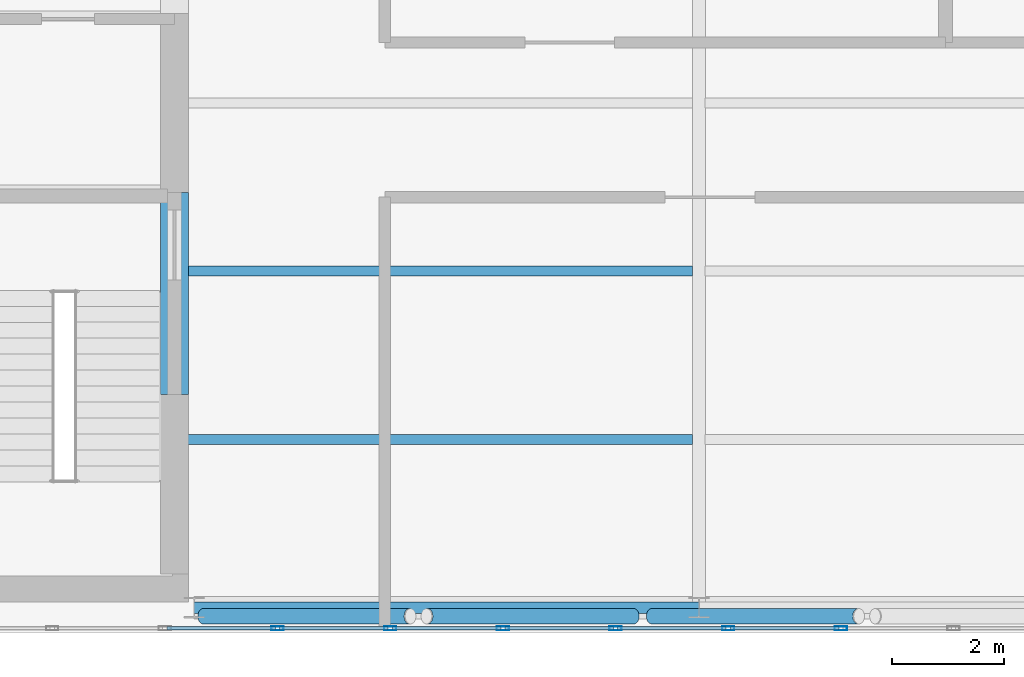
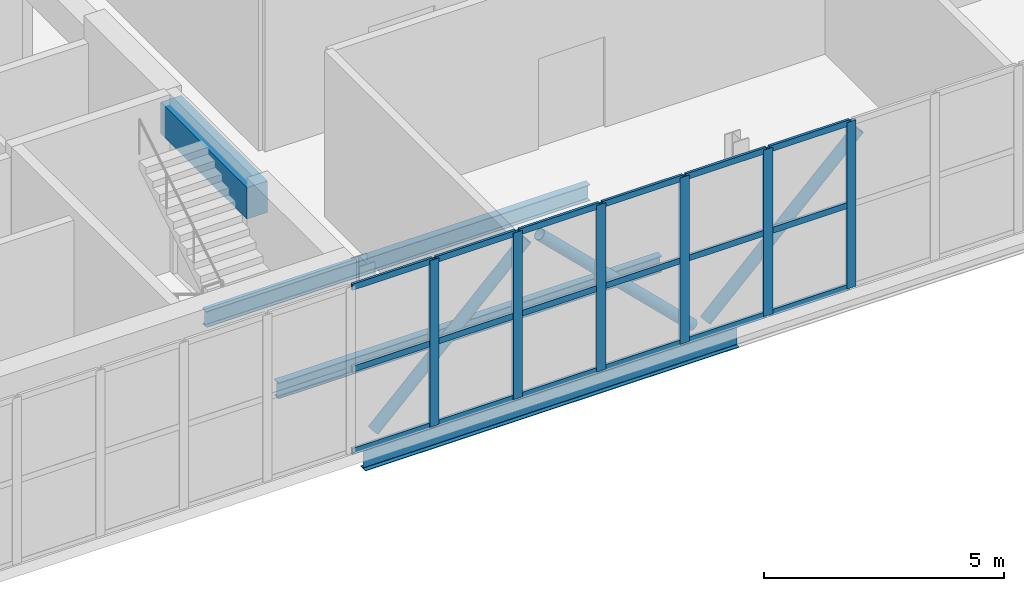
# One storey, part 6 of 21: 27 members, 4 beams, 1 element without a shape of its own.
"""IFC4 building model written with IfcOpenShell, lengths in metres."""

from ifc_helpers import new_model, si_unit, direction, frame, origin, origin_2d, place, context, subcontext, project, spatial, rectangle, hollow_rectangle, hollow_circle, i_section, extrude, material, layer, layer_set, material_profile, profile_set, type_object, element, aggregate, save


model = new_model("IFC4")

# Units and contexts
model_context = context("Model", 3, precision=1e-05, world=origin(), true_north=direction((0.0, 1.0)))
body_context = subcontext(model_context, "Body", "Model", "MODEL_VIEW")
ifc_project = project(units=[si_unit("LENGTHUNIT", "METRE"), si_unit("AREAUNIT", "SQUARE_METRE"), si_unit("VOLUMEUNIT", "CUBIC_METRE"), si_unit("PLANEANGLEUNIT", "RADIAN"), si_unit("MASSUNIT", "GRAM", prefix="KILO")], contexts=[model_context])

# Site, building, storey
site_placement = place(None, origin())
site = spatial("IfcSite", under=ifc_project, at=site_placement, CompositionType="ELEMENT")
building_placement = place(site_placement, origin())
building = spatial("IfcBuilding", under=site, at=building_placement, Name="Mawjdan Bourse Tower", CompositionType="ELEMENT")
storey_placement = place(building_placement, frame((0.0, 0.0, 317.699951171875)))
storey = spatial("IfcBuildingStorey", under=building, at=storey_placement, Name="L78", CompositionType="ELEMENT", Elevation=317.699951171875)

# Members
ifc_material_1 = material(Name="Structural Steel S355", Category="steel")
ifc_material_profile_1 = material_profile(ifc_material_1, hollow_circle(Radius=0.136474609375, WallThickness=0.012451171875, at=origin_2d()), Name="CHS273X12.5")
ifc_profile_set_1 = profile_set([ifc_material_profile_1], Name="Structural Steel S355")
member_type_1 = type_object("IfcMemberType", Name="BRC-CHS273X12.5", PredefinedType="BRACE", material=ifc_profile_set_1)
for number, where, z_axis, x_axis, name in (
    (1, (24.159912109375, 2.846435546875, 0.199951171875), (0.715813788729, 0.0, 0.698291214227), (0.0, 1.0, 0.0), "L78 Lantern Crown Braced Frame South Diagonal 1"),
    (2, (28.159912109375, 2.846435546875, 3.7900390625), (0.715813788729, 0.0, -0.698291214227), (0.0, 1.0, 0.0), "L78 Lantern Crown Braced Frame South Diagonal 2"),
    (3, (32.159912109375, 2.846435546875, 0.199951171875), (0.715813788729, 0.0, 0.698291214227), (0.0, 1.0, 0.0), "L78 Lantern Crown Braced Frame South Diagonal 3"),
):
    element("IfcMember", number, at=place(storey_placement, frame(where, z_axis=z_axis, x_axis=x_axis)), inside=storey, type_object=member_type_1, Name=name, PredefinedType="BRACE", context=body_context, shape_type="SweptSolid", body=[
        extrude(hollow_circle(Radius=0.136474609375, WallThickness=0.012451171875, at=origin_2d()), origin(), (0.0, 0.0, 1.0), 5.141357421875),
    ])

# Beams
ifc_material_profile_2 = material_profile(ifc_material_1, i_section(OverallWidth=0.177978515625, OverallDepth=0.406982421875, WebThickness=0.0078125, FlangeThickness=0.0126953125, FilletRadius=0.01025390625, at=origin_2d()), Name="W16X40")
ifc_profile_set_2 = profile_set([ifc_material_profile_2], Name="Structural Steel S355")
beam_type_1 = type_object("IfcBeamType", Name="JST-W16X40", PredefinedType="JOIST", material=ifc_profile_set_2)
for number, where, z_axis, x_axis, name in (
    (4, (23.64990234375, 6.0, -0.4833984375), (1.0, 0.0, 0.0), (0.0, 1.0, 0.0), "L78 East Wing Composite Joist 011"),
    (5, (23.64990234375, 9.0, -0.4833984375), (1.0, 0.0, 0.0), (0.0, 1.0, 0.0), "L78 East Wing Composite Joist 014"),
):
    element("IfcBeam", number, at=place(storey_placement, frame(where, z_axis=z_axis, x_axis=x_axis)), inside=storey, type_object=beam_type_1, Name=name, PredefinedType="JOIST", context=body_context, shape_type="SweptSolid", body=[
        extrude(i_section(OverallWidth=0.177978515625, OverallDepth=0.406982421875, WebThickness=0.0078125, FlangeThickness=0.0126953125, FilletRadius=0.01025390625, at=origin_2d()), origin(), (0.0, 0.0, 1.0), 9.237060546875),
    ])
ifc_material_2 = material(Name="Concrete C70/85", Category="concrete")
ifc_material_profile_3 = material_profile(ifc_material_2, rectangle(XDim=0.5, YDim=0.800048828125, at=origin_2d()), Name="RCB500X800")
ifc_profile_set_3 = profile_set([ifc_material_profile_3], Name="Concrete C70/85")
beam_type_2 = type_object("IfcBeamType", Name="LNT-RCB500X800", PredefinedType="LINTEL", material=ifc_profile_set_3)
beam_1_placement = place(storey_placement, frame((23.64990234375, 6.800048828125, 3.840087890625), z_axis=(0.0, 1.0, 0.0), x_axis=(-1.0, 0.0, 0.0)))
element("IfcBeam", 6, at=beam_1_placement, inside=storey, type_object=beam_type_2, Name="L78 Coupled Core Lintel CB-E1", PredefinedType="LINTEL", context=body_context, shape_type="SweptSolid", body=[
    extrude(rectangle(XDim=0.5, YDim=0.800048828125, at=origin_2d()), origin(), (0.0, 0.0, 1.0), 3.599853515625),
])

# Curtain wall, members
ifc_material_3 = material(Name="Thermally Broken Aluminium and Solar Glass", Category="aluminium")
ifc_layer = layer(ifc_material_3, 0.219970703125)
ifc_layer_set = layer_set([ifc_layer], Name="Thermally Broken Aluminium and Solar Glass")
curtain_wall_type = type_object("IfcCurtainWallType", Name="CW-CRN", PredefinedType="USERDEFINED", material=ifc_layer_set)
curtain_wall_placement = place(storey_placement, origin())
curtain_wall = element("IfcCurtainWall", 7, at=curtain_wall_placement, inside=storey, type_object=curtain_wall_type, Name="L78 Lantern Crown South Curtain Wall", ObjectType="LANTERN GLAZED CROWN", PredefinedType="USERDEFINED")
ifc_material_4 = material(Name="Thermally Broken Anodised Aluminium", Category="aluminium")
ifc_material_profile_4 = material_profile(ifc_material_4, hollow_rectangle(XDim=0.074951171875, YDim=0.219970703125, WallThickness=0.0048828125, at=origin_2d()), Name="ALU-MUL-220X75")
ifc_profile_set_4 = profile_set([ifc_material_profile_4], Name="Thermally Broken Anodised Aluminium")
member_type_2 = type_object("IfcMemberType", Name="MUL-ALU-MUL-220X75", PredefinedType="MULLION", material=ifc_profile_set_4)
member_1_placement = place(storey_placement, frame((25.485595703125, 2.6298828125, 0.0), z_axis=(0.0, 0.0, 1.0), x_axis=(0.0, 1.0, 0.0)))
member_1 = element("IfcMember", 8, at=member_1_placement, type_object=member_type_2, Name="CW-CRN-L78-CRN-S mullion 10", PredefinedType="MULLION", context=body_context, shape_type="SweptSolid", body=[
    extrude(hollow_rectangle(XDim=0.074951171875, YDim=0.219970703125, WallThickness=0.0048828125, at=origin_2d()), origin(), (0.0, 0.0, 1.0), 4.239990234375),
])
member_2_placement = place(storey_placement, frame((27.4951171875, 2.6298828125, 0.0), z_axis=(0.0, 0.0, 1.0), x_axis=(0.0, 1.0, 0.0)))
member_2 = element("IfcMember", 9, at=member_2_placement, type_object=member_type_2, Name="CW-CRN-L78-CRN-S mullion 11", PredefinedType="MULLION", context=body_context, shape_type="SweptSolid", body=[
    extrude(hollow_rectangle(XDim=0.074951171875, YDim=0.219970703125, WallThickness=0.0048828125, at=origin_2d()), origin(), (0.0, 0.0, 1.0), 4.239990234375),
])
member_3_placement = place(storey_placement, frame((29.5048828125, 2.6298828125, 0.0), z_axis=(0.0, 0.0, 1.0), x_axis=(0.0, 1.0, 0.0)))
member_3 = element("IfcMember", 10, at=member_3_placement, type_object=member_type_2, Name="CW-CRN-L78-CRN-S mullion 12", PredefinedType="MULLION", context=body_context, shape_type="SweptSolid", body=[
    extrude(hollow_rectangle(XDim=0.074951171875, YDim=0.219970703125, WallThickness=0.0048828125, at=origin_2d()), origin(), (0.0, 0.0, 1.0), 4.239990234375),
])
member_4_placement = place(storey_placement, frame((31.514404296875, 2.6298828125, 0.0), z_axis=(0.0, 0.0, 1.0), x_axis=(0.0, 1.0, 0.0)))
member_4 = element("IfcMember", 11, at=member_4_placement, type_object=member_type_2, Name="CW-CRN-L78-CRN-S mullion 13", PredefinedType="MULLION", context=body_context, shape_type="SweptSolid", body=[
    extrude(hollow_rectangle(XDim=0.074951171875, YDim=0.219970703125, WallThickness=0.0048828125, at=origin_2d()), origin(), (0.0, 0.0, 1.0), 4.239990234375),
])
member_5_placement = place(storey_placement, frame((33.52392578125, 2.6298828125, 0.0), z_axis=(0.0, 0.0, 1.0), x_axis=(0.0, 1.0, 0.0)))
member_5 = element("IfcMember", 12, at=member_5_placement, type_object=member_type_2, Name="CW-CRN-L78-CRN-S mullion 14", PredefinedType="MULLION", context=body_context, shape_type="SweptSolid", body=[
    extrude(hollow_rectangle(XDim=0.074951171875, YDim=0.219970703125, WallThickness=0.0048828125, at=origin_2d()), origin(), (0.0, 0.0, 1.0), 4.239990234375),
])
member_6_placement = place(storey_placement, frame((35.533447265625, 2.6298828125, 0.0), z_axis=(0.0, 0.0, 1.0), x_axis=(0.0, 1.0, 0.0)))
member_6 = element("IfcMember", 13, at=member_6_placement, type_object=member_type_2, Name="CW-CRN-L78-CRN-S mullion 15", PredefinedType="MULLION", context=body_context, shape_type="SweptSolid", body=[
    extrude(hollow_rectangle(XDim=0.074951171875, YDim=0.219970703125, WallThickness=0.0048828125, at=origin_2d()), origin(), (0.0, 0.0, 1.0), 4.239990234375),
])

# Beam
ifc_material_profile_5 = material_profile(ifc_material_1, i_section(OverallWidth=0.2099609375, OverallDepth=0.537109375, WebThickness=0.010986328125, FlangeThickness=0.017333984375, FilletRadius=0.013916015625, at=origin_2d()), Name="W21X68")
ifc_profile_set_5 = profile_set([ifc_material_profile_5], Name="Structural Steel S355")
beam_type_3 = type_object("IfcBeamType", Name="SPN-W21X68", PredefinedType="SPANDREL", material=ifc_profile_set_5)
beam_2_placement = place(storey_placement, frame((24.0, 3.0, -0.54833984375), z_axis=(1.0, 0.0, 0.0), x_axis=(0.0, 1.0, 0.0)))
element("IfcBeam", 14, at=beam_2_placement, inside=storey, type_object=beam_type_3, Name="L78 Perimeter Masonry-Shelf Spandrel 005", PredefinedType="SPANDREL", context=body_context, shape_type="SweptSolid", body=[
    extrude(i_section(OverallWidth=0.2099609375, OverallDepth=0.537109375, WebThickness=0.010986328125, FlangeThickness=0.017333984375, FilletRadius=0.013916015625, at=origin_2d()), origin(), (0.0, 0.0, 1.0), 9.0),
])

# Member
ifc_material_profile_6 = material_profile(ifc_material_4, hollow_rectangle(XDim=0.06005859375, YDim=0.155029296875, WallThickness=0.00390625, at=origin_2d()), Name="ALU-TRN-155X60")
ifc_profile_set_6 = profile_set([ifc_material_profile_6], Name="Thermally Broken Anodised Aluminium")
member_type_3 = type_object("IfcMemberType", Name="TRN-ALU-TRN-155X60", PredefinedType="USERDEFINED", material=ifc_profile_set_6)
member_7_placement = place(storey_placement, frame((23.513671875, 2.6298828125, 0.030029296875), z_axis=(1.0, 0.0, 0.0), x_axis=(0.0, 1.0, 0.0)))
member_7 = element("IfcMember", 15, at=member_7_placement, type_object=member_type_3, Name="CW-CRN-L78-CRN-S transom 9.1", ObjectType="TRANSOM", PredefinedType="USERDEFINED", context=body_context, shape_type="SweptSolid", body=[
    extrude(hollow_rectangle(XDim=0.06005859375, YDim=0.155029296875, WallThickness=0.00390625, at=origin_2d()), origin(), (0.0, 0.0, 1.0), 1.9345703125),
])

member_8_placement = place(storey_placement, frame((23.513671875, 2.6298828125, 2.1201171875), z_axis=(1.0, 0.0, 0.0), x_axis=(0.0, 1.0, 0.0)))
member_8 = element("IfcMember", 16, at=member_8_placement, type_object=member_type_3, Name="CW-CRN-L78-CRN-S transom 9.2", ObjectType="TRANSOM", PredefinedType="USERDEFINED", context=body_context, shape_type="SweptSolid", body=[
    extrude(hollow_rectangle(XDim=0.06005859375, YDim=0.155029296875, WallThickness=0.00390625, at=origin_2d()), origin(), (0.0, 0.0, 1.0), 1.9345703125),
])

member_9_placement = place(storey_placement, frame((23.513671875, 2.6298828125, 4.2099609375), z_axis=(1.0, 0.0, 0.0), x_axis=(0.0, 1.0, 0.0)))
member_9 = element("IfcMember", 17, at=member_9_placement, type_object=member_type_3, Name="CW-CRN-L78-CRN-S transom 9.3", ObjectType="TRANSOM", PredefinedType="USERDEFINED", context=body_context, shape_type="SweptSolid", body=[
    extrude(hollow_rectangle(XDim=0.06005859375, YDim=0.155029296875, WallThickness=0.00390625, at=origin_2d()), origin(), (0.0, 0.0, 1.0), 1.9345703125),
])

member_10_placement = place(storey_placement, frame((25.523193359375, 2.6298828125, 0.030029296875), z_axis=(1.0, 0.0, 0.0), x_axis=(0.0, 1.0, 0.0)))
member_10 = element("IfcMember", 18, at=member_10_placement, type_object=member_type_3, Name="CW-CRN-L78-CRN-S transom 10.1", ObjectType="TRANSOM", PredefinedType="USERDEFINED", context=body_context, shape_type="SweptSolid", body=[
    extrude(hollow_rectangle(XDim=0.06005859375, YDim=0.155029296875, WallThickness=0.00390625, at=origin_2d()), origin(), (0.0, 0.0, 1.0), 1.9345703125),
])

member_11_placement = place(storey_placement, frame((25.523193359375, 2.6298828125, 2.1201171875), z_axis=(1.0, 0.0, 0.0), x_axis=(0.0, 1.0, 0.0)))
member_11 = element("IfcMember", 19, at=member_11_placement, type_object=member_type_3, Name="CW-CRN-L78-CRN-S transom 10.2", ObjectType="TRANSOM", PredefinedType="USERDEFINED", context=body_context, shape_type="SweptSolid", body=[
    extrude(hollow_rectangle(XDim=0.06005859375, YDim=0.155029296875, WallThickness=0.00390625, at=origin_2d()), origin(), (0.0, 0.0, 1.0), 1.9345703125),
])

member_12_placement = place(storey_placement, frame((25.523193359375, 2.6298828125, 4.2099609375), z_axis=(1.0, 0.0, 0.0), x_axis=(0.0, 1.0, 0.0)))
member_12 = element("IfcMember", 20, at=member_12_placement, type_object=member_type_3, Name="CW-CRN-L78-CRN-S transom 10.3", ObjectType="TRANSOM", PredefinedType="USERDEFINED", context=body_context, shape_type="SweptSolid", body=[
    extrude(hollow_rectangle(XDim=0.06005859375, YDim=0.155029296875, WallThickness=0.00390625, at=origin_2d()), origin(), (0.0, 0.0, 1.0), 1.9345703125),
])

member_13_placement = place(storey_placement, frame((27.53271484375, 2.6298828125, 0.030029296875), z_axis=(1.0, 0.0, 0.0), x_axis=(0.0, 1.0, 0.0)))
member_13 = element("IfcMember", 21, at=member_13_placement, type_object=member_type_3, Name="CW-CRN-L78-CRN-S transom 11.1", ObjectType="TRANSOM", PredefinedType="USERDEFINED", context=body_context, shape_type="SweptSolid", body=[
    extrude(hollow_rectangle(XDim=0.06005859375, YDim=0.155029296875, WallThickness=0.00390625, at=origin_2d()), origin(), (0.0, 0.0, 1.0), 1.9345703125),
])

member_14_placement = place(storey_placement, frame((27.53271484375, 2.6298828125, 2.1201171875), z_axis=(1.0, 0.0, 0.0), x_axis=(0.0, 1.0, 0.0)))
member_14 = element("IfcMember", 22, at=member_14_placement, type_object=member_type_3, Name="CW-CRN-L78-CRN-S transom 11.2", ObjectType="TRANSOM", PredefinedType="USERDEFINED", context=body_context, shape_type="SweptSolid", body=[
    extrude(hollow_rectangle(XDim=0.06005859375, YDim=0.155029296875, WallThickness=0.00390625, at=origin_2d()), origin(), (0.0, 0.0, 1.0), 1.9345703125),
])

member_15_placement = place(storey_placement, frame((27.53271484375, 2.6298828125, 4.2099609375), z_axis=(1.0, 0.0, 0.0), x_axis=(0.0, 1.0, 0.0)))
member_15 = element("IfcMember", 23, at=member_15_placement, type_object=member_type_3, Name="CW-CRN-L78-CRN-S transom 11.3", ObjectType="TRANSOM", PredefinedType="USERDEFINED", context=body_context, shape_type="SweptSolid", body=[
    extrude(hollow_rectangle(XDim=0.06005859375, YDim=0.155029296875, WallThickness=0.00390625, at=origin_2d()), origin(), (0.0, 0.0, 1.0), 1.9345703125),
])

member_16_placement = place(storey_placement, frame((29.542236328125, 2.6298828125, 0.030029296875), z_axis=(1.0, 0.0, 0.0), x_axis=(0.0, 1.0, 0.0)))
member_16 = element("IfcMember", 24, at=member_16_placement, type_object=member_type_3, Name="CW-CRN-L78-CRN-S transom 12.1", ObjectType="TRANSOM", PredefinedType="USERDEFINED", context=body_context, shape_type="SweptSolid", body=[
    extrude(hollow_rectangle(XDim=0.06005859375, YDim=0.155029296875, WallThickness=0.00390625, at=origin_2d()), origin(), (0.0, 0.0, 1.0), 1.9345703125),
])

member_17_placement = place(storey_placement, frame((29.542236328125, 2.6298828125, 2.1201171875), z_axis=(1.0, 0.0, 0.0), x_axis=(0.0, 1.0, 0.0)))
member_17 = element("IfcMember", 25, at=member_17_placement, type_object=member_type_3, Name="CW-CRN-L78-CRN-S transom 12.2", ObjectType="TRANSOM", PredefinedType="USERDEFINED", context=body_context, shape_type="SweptSolid", body=[
    extrude(hollow_rectangle(XDim=0.06005859375, YDim=0.155029296875, WallThickness=0.00390625, at=origin_2d()), origin(), (0.0, 0.0, 1.0), 1.9345703125),
])

member_18_placement = place(storey_placement, frame((29.542236328125, 2.6298828125, 4.2099609375), z_axis=(1.0, 0.0, 0.0), x_axis=(0.0, 1.0, 0.0)))
member_18 = element("IfcMember", 26, at=member_18_placement, type_object=member_type_3, Name="CW-CRN-L78-CRN-S transom 12.3", ObjectType="TRANSOM", PredefinedType="USERDEFINED", context=body_context, shape_type="SweptSolid", body=[
    extrude(hollow_rectangle(XDim=0.06005859375, YDim=0.155029296875, WallThickness=0.00390625, at=origin_2d()), origin(), (0.0, 0.0, 1.0), 1.9345703125),
])

member_19_placement = place(storey_placement, frame((31.5517578125, 2.6298828125, 0.030029296875), z_axis=(1.0, 0.0, 0.0), x_axis=(0.0, 1.0, 0.0)))
member_19 = element("IfcMember", 27, at=member_19_placement, type_object=member_type_3, Name="CW-CRN-L78-CRN-S transom 13.1", ObjectType="TRANSOM", PredefinedType="USERDEFINED", context=body_context, shape_type="SweptSolid", body=[
    extrude(hollow_rectangle(XDim=0.06005859375, YDim=0.155029296875, WallThickness=0.00390625, at=origin_2d()), origin(), (0.0, 0.0, 1.0), 1.9345703125),
])

member_20_placement = place(storey_placement, frame((31.5517578125, 2.6298828125, 2.1201171875), z_axis=(1.0, 0.0, 0.0), x_axis=(0.0, 1.0, 0.0)))
member_20 = element("IfcMember", 28, at=member_20_placement, type_object=member_type_3, Name="CW-CRN-L78-CRN-S transom 13.2", ObjectType="TRANSOM", PredefinedType="USERDEFINED", context=body_context, shape_type="SweptSolid", body=[
    extrude(hollow_rectangle(XDim=0.06005859375, YDim=0.155029296875, WallThickness=0.00390625, at=origin_2d()), origin(), (0.0, 0.0, 1.0), 1.9345703125),
])

member_21_placement = place(storey_placement, frame((31.5517578125, 2.6298828125, 4.2099609375), z_axis=(1.0, 0.0, 0.0), x_axis=(0.0, 1.0, 0.0)))
member_21 = element("IfcMember", 29, at=member_21_placement, type_object=member_type_3, Name="CW-CRN-L78-CRN-S transom 13.3", ObjectType="TRANSOM", PredefinedType="USERDEFINED", context=body_context, shape_type="SweptSolid", body=[
    extrude(hollow_rectangle(XDim=0.06005859375, YDim=0.155029296875, WallThickness=0.00390625, at=origin_2d()), origin(), (0.0, 0.0, 1.0), 1.9345703125),
])

member_22_placement = place(storey_placement, frame((33.561279296875, 2.6298828125, 0.030029296875), z_axis=(1.0, 0.0, 0.0), x_axis=(0.0, 1.0, 0.0)))
member_22 = element("IfcMember", 30, at=member_22_placement, type_object=member_type_3, Name="CW-CRN-L78-CRN-S transom 14.1", ObjectType="TRANSOM", PredefinedType="USERDEFINED", context=body_context, shape_type="SweptSolid", body=[
    extrude(hollow_rectangle(XDim=0.06005859375, YDim=0.155029296875, WallThickness=0.00390625, at=origin_2d()), origin(), (0.0, 0.0, 1.0), 1.9345703125),
])

member_23_placement = place(storey_placement, frame((33.561279296875, 2.6298828125, 2.1201171875), z_axis=(1.0, 0.0, 0.0), x_axis=(0.0, 1.0, 0.0)))
member_23 = element("IfcMember", 31, at=member_23_placement, type_object=member_type_3, Name="CW-CRN-L78-CRN-S transom 14.2", ObjectType="TRANSOM", PredefinedType="USERDEFINED", context=body_context, shape_type="SweptSolid", body=[
    extrude(hollow_rectangle(XDim=0.06005859375, YDim=0.155029296875, WallThickness=0.00390625, at=origin_2d()), origin(), (0.0, 0.0, 1.0), 1.9345703125),
])

member_24_placement = place(storey_placement, frame((33.561279296875, 2.6298828125, 4.2099609375), z_axis=(1.0, 0.0, 0.0), x_axis=(0.0, 1.0, 0.0)))
member_24 = element("IfcMember", 32, at=member_24_placement, type_object=member_type_3, Name="CW-CRN-L78-CRN-S transom 14.3", ObjectType="TRANSOM", PredefinedType="USERDEFINED", context=body_context, shape_type="SweptSolid", body=[
    extrude(hollow_rectangle(XDim=0.06005859375, YDim=0.155029296875, WallThickness=0.00390625, at=origin_2d()), origin(), (0.0, 0.0, 1.0), 1.9345703125),
])

aggregate(curtain_wall, [member_1, member_2, member_3, member_4, member_5, member_6, member_7, member_8, member_9, member_10, member_11, member_12, member_13, member_14, member_15, member_16, member_17, member_18, member_19, member_20, member_21, member_22, member_23, member_24])

save(model, "model.ifc")
